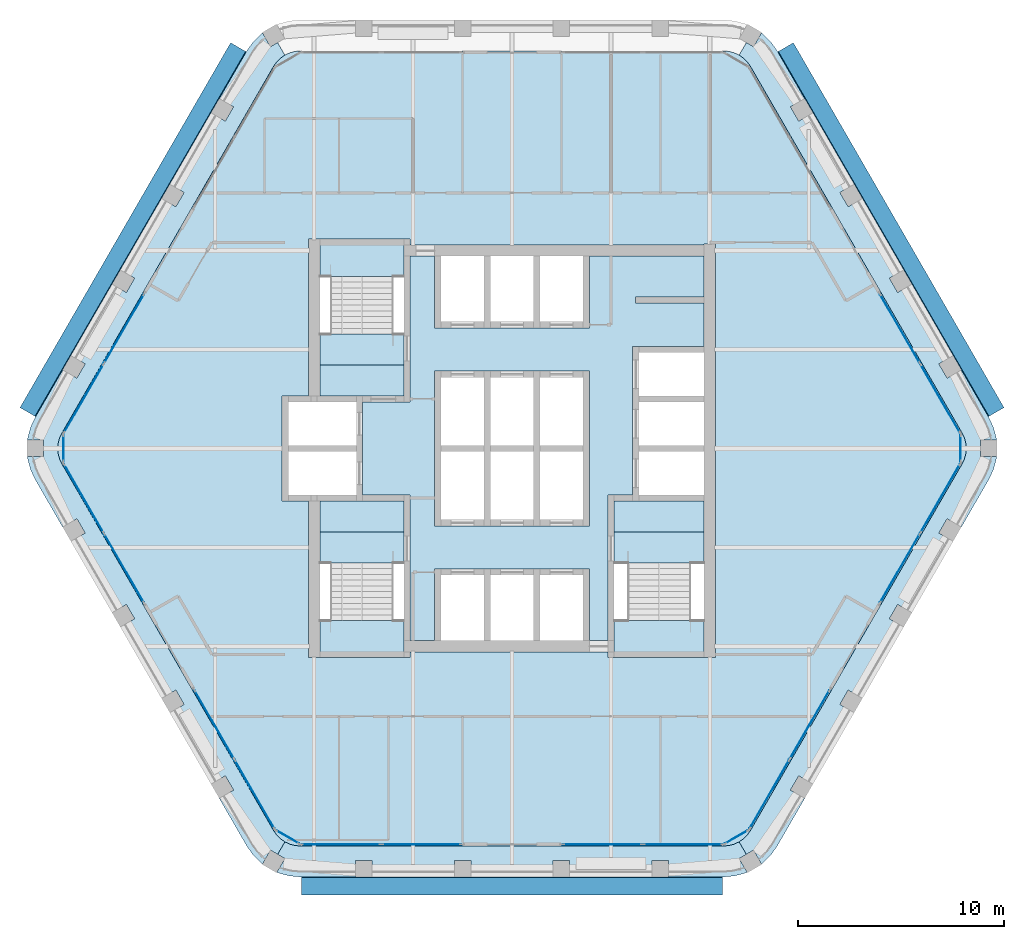
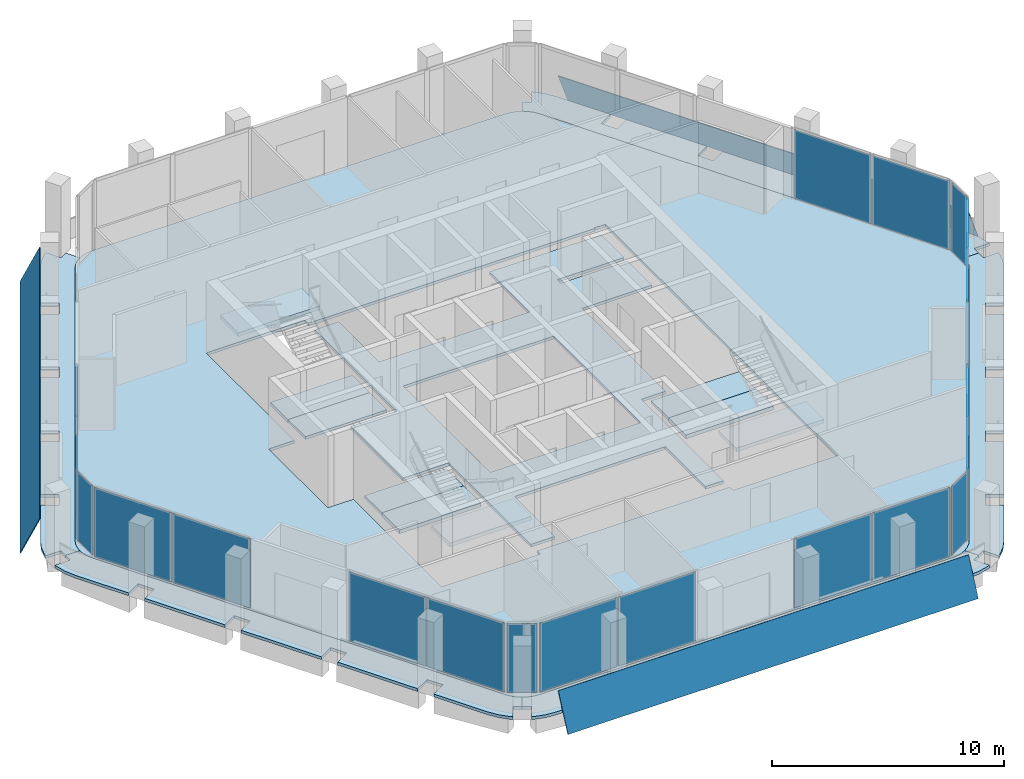
# One storey, part 6 of 13: 23 plates, 16 slabs, 15 elements without a shape of their own.
"""IFC4 building model written with IfcOpenShell, lengths in metres."""

from ifc_helpers import new_model, si_unit, direction, frame, origin, origin_2d, place, context, subcontext, project, spatial, polyline, rectangle, outline, extrude, material, layer, layer_set, type_object, element, aggregate, save


model = new_model("IFC4")

# Units and contexts
model_context = context("Model", 3, precision=1e-05, world=origin(), true_north=direction((0.0, 1.0)))
body_context = subcontext(model_context, "Body", "Model", "MODEL_VIEW")
ifc_project = project(units=[si_unit("LENGTHUNIT", "METRE"), si_unit("AREAUNIT", "SQUARE_METRE"), si_unit("VOLUMEUNIT", "CUBIC_METRE"), si_unit("PLANEANGLEUNIT", "RADIAN"), si_unit("MASSUNIT", "GRAM", prefix="KILO")], contexts=[model_context])

# Site, building, storey
site_placement = place(None, origin())
site = spatial("IfcSite", under=ifc_project, at=site_placement, CompositionType="ELEMENT")
building_placement = place(site_placement, origin())
building = spatial("IfcBuilding", under=site, at=building_placement, Name="Kolab Exchange Tower", CompositionType="ELEMENT")
storey_placement = place(building_placement, frame((0.0, 0.0, 226.699951171875)))
storey = spatial("IfcBuildingStorey", under=building, at=storey_placement, Name="L49", CompositionType="ELEMENT", Elevation=226.699951171875)

# Slabs
ifc_material_1 = material(Name="Concrete C35/45", Category="concrete")
ifc_layer_1 = layer(ifc_material_1, 0.14990234375)
ifc_layer_set_1 = layer_set([ifc_layer_1], Name="Concrete C35/45")
slab_type_1 = type_object("IfcSlabType", Name="FLOOR SLAB 150", PredefinedType="FLOOR", material=ifc_layer_set_1)
slab_1_placement = place(storey_placement, frame((0.0, 0.0, -0.14990234375)))
element("IfcSlab", 1, at=slab_1_placement, inside=storey, type_object=slab_type_1, Name="slab/L49/floor/0", PredefinedType="FLOOR", context=body_context, shape_type="SweptSolid", body=[
    extrude(outline(polyline([(11.56689453125, -18.53466796875), (21.8349609375, -0.75), (21.945556640625, -0.512939453125), (22.01318359375, -0.260498046875), (22.035888671875, 0.0), (22.01318359375, 0.260498046875), (21.945556640625, 0.512939453125), (21.8349609375, 0.75), (11.56689453125, 18.53466796875), (11.4169921875, 18.748779296875), (11.232177734375, 18.93359375), (11.01806640625, 19.083740234375), (10.781005859375, 19.194091796875), (10.5283203125, 19.26171875), (10.26806640625, 19.28466796875), (-10.26806640625, 19.28466796875), (-10.5283203125, 19.26171875), (-10.781005859375, 19.194091796875), (-11.01806640625, 19.083740234375), (-11.232177734375, 18.93359375), (-11.4169921875, 18.748779296875), (-11.56689453125, 18.53466796875), (-21.8349609375, 0.75), (-21.945556640625, 0.512939453125), (-22.01318359375, 0.260498046875), (-22.035888671875, 0.0), (-22.01318359375, -0.260498046875), (-21.945556640625, -0.512939453125), (-21.8349609375, -0.75), (-11.56689453125, -18.53466796875), (-11.4169921875, -18.748779296875), (-11.232177734375, -18.93359375), (-11.01806640625, -19.083740234375), (-10.781005859375, -19.194091796875), (-10.5283203125, -19.26171875), (-10.26806640625, -19.28466796875), (10.26806640625, -19.28466796875), (10.5283203125, -19.26171875), (10.781005859375, -19.194091796875), (11.01806640625, -19.083740234375), (11.232177734375, -18.93359375), (11.4169921875, -18.748779296875), (11.56689453125, -18.53466796875)]), holes=[polyline([(-9.324951171875, -10.14990234375), (-9.875, -10.14990234375), (-9.875, -2.550048828125), (-10.85009765625, -2.550048828125), (-11.14990234375, -2.550048828125), (-11.14990234375, 2.550048828125), (-10.85009765625, 2.550048828125), (-9.875, 2.550048828125), (-9.875, 10.14990234375), (-9.324951171875, 10.14990234375), (-5.25, 10.14990234375), (-4.949951171875, 10.14990234375), (-4.949951171875, 9.875), (9.324951171875, 9.875), (9.324951171875, 9.925048828125), (9.875, 9.925048828125), (9.875, -10.14990234375), (9.324951171875, -10.14990234375), (4.949951171875, -10.14990234375), (4.64990234375, -10.14990234375), (4.64990234375, -9.875), (-4.949951171875, -9.875), (-4.949951171875, -10.14990234375), (-5.25, -10.14990234375), (-9.324951171875, -10.14990234375)])]), origin(), (0.0, 0.0, 1.0), 0.14990234375),
])
slab_2_placement = place(storey_placement, frame((0.0, 0.0, -0.14990234375)))
element("IfcSlab", 2, at=slab_2_placement, inside=storey, type_object=slab_type_1, Name="slab/L49/floor/1", PredefinedType="FLOOR", context=body_context, shape_type="SweptSolid", body=[
    extrude(outline(polyline([(-4.949951171875, 9.324951171875), (-4.949951171875, 2.25), (-5.25, 2.25), (-7.25, 2.25), (-7.25, -2.25), (-5.25, -2.25), (-4.949951171875, -2.25), (-4.949951171875, -9.324951171875), (-3.75, -9.324951171875), (-3.75, -5.85009765625), (-3.449951171875, -5.85009765625), (-1.35009765625, -5.85009765625), (-1.050048828125, -5.85009765625), (1.050048828125, -5.85009765625), (1.35009765625, -5.85009765625), (3.449951171875, -5.85009765625), (3.75, -5.85009765625), (3.75, -9.324951171875), (4.64990234375, -9.324951171875), (4.64990234375, -2.25), (4.949951171875, -2.25), (5.85009765625, -2.25), (5.85009765625, 4.949951171875), (6.14990234375, 4.949951171875), (9.324951171875, 4.949951171875), (9.324951171875, 7.050048828125), (6.0, 7.050048828125), (6.0, 7.35009765625), (9.324951171875, 7.35009765625), (9.324951171875, 9.324951171875), (3.75, 9.324951171875), (3.75, 5.85009765625), (3.449951171875, 5.85009765625), (1.35009765625, 5.85009765625), (1.050048828125, 5.85009765625), (-1.050048828125, 5.85009765625), (-1.35009765625, 5.85009765625), (-3.449951171875, 5.85009765625), (-3.75, 5.85009765625), (-3.75, 9.324951171875), (-4.949951171875, 9.324951171875)]), holes=[polyline([(-3.449951171875, -3.75), (-3.75, -3.75), (-3.75, 3.75), (-3.449951171875, 3.75), (-1.35009765625, 3.75), (-1.050048828125, 3.75), (1.050048828125, 3.75), (1.35009765625, 3.75), (3.449951171875, 3.75), (3.75, 3.75), (3.75, -3.75), (3.449951171875, -3.75), (1.35009765625, -3.75), (1.050048828125, -3.75), (-1.050048828125, -3.75), (-1.35009765625, -3.75), (-3.449951171875, -3.75)])]), origin(), (0.0, 0.0, 1.0), 0.14990234375),
])
slab_3_placement = place(storey_placement, frame((0.0, 0.0, -0.14990234375)))
element("IfcSlab", 3, at=slab_3_placement, inside=storey, type_object=slab_type_1, Name="slab/L49/floor/2", PredefinedType="FLOOR", context=body_context, shape_type="SweptSolid", body=[
    extrude(outline(polyline([(4.949951171875, -2.550048828125), (4.949951171875, -4.050048828125), (9.324951171875, -4.050048828125), (9.324951171875, -2.550048828125), (6.14990234375, -2.550048828125), (5.85009765625, -2.550048828125), (4.949951171875, -2.550048828125)])), origin(), (0.0, 0.0, 1.0), 0.14990234375),
])
slab_4_placement = place(storey_placement, frame((0.0, 0.0, -0.14990234375)))
element("IfcSlab", 4, at=slab_4_placement, inside=storey, type_object=slab_type_1, Name="slab/L49/floor/3", PredefinedType="FLOOR", context=body_context, shape_type="SweptSolid", body=[
    extrude(outline(polyline([(-7.550048828125, -2.550048828125), (-9.324951171875, -2.550048828125), (-9.324951171875, -4.050048828125), (-5.25, -4.050048828125), (-5.25, -2.550048828125), (-7.25, -2.550048828125), (-7.550048828125, -2.550048828125)])), origin(), (0.0, 0.0, 1.0), 0.14990234375),
])
slab_5_placement = place(storey_placement, frame((0.0, 0.0, -0.14990234375)))
element("IfcSlab", 5, at=slab_5_placement, inside=storey, type_object=slab_type_1, Name="slab/L49/floor/4", PredefinedType="FLOOR", context=body_context, shape_type="SweptSolid", body=[
    extrude(outline(polyline([(-9.324951171875, 4.050048828125), (-9.324951171875, 2.550048828125), (-7.550048828125, 2.550048828125), (-7.25, 2.550048828125), (-5.25, 2.550048828125), (-5.25, 4.050048828125), (-9.324951171875, 4.050048828125)])), origin(), (0.0, 0.0, 1.0), 0.14990234375),
])
ifc_layer_2 = layer(ifc_material_1, 0.14990234375)
ifc_layer_set_2 = layer_set([ifc_layer_2], Name="Concrete C35/45")
slab_type_2 = type_object("IfcSlabType", Name="LOGGIA SLAB 150", PredefinedType="FLOOR", material=ifc_layer_set_2)
slab_6_placement = place(storey_placement, frame((0.0, 0.0, -0.14990234375)))
element("IfcSlab", 6, at=slab_6_placement, inside=storey, type_object=slab_type_2, Name="slab/L49/loggia/1-0", PredefinedType="FLOOR", context=body_context, shape_type="SweptSolid", body=[
    extrude(outline(polyline([(22.035888671875, 0.0), (22.73583984375, 0.0), (22.73583984375, 0.39990234375), (23.5009765625, 0.39990234375), (23.490234375, 0.52099609375), (23.35498046875, 1.026123046875), (23.134033203125, 1.5), (21.800048828125, 3.810546875), (21.107177734375, 3.410400390625), (20.707275390625, 4.103271484375), (21.39990234375, 4.50341796875), (19.39990234375, 7.967529296875), (18.707275390625, 7.5673828125), (18.30712890625, 8.26025390625), (19.0, 8.66015625), (17.0, 12.124267578125), (16.30712890625, 11.724365234375), (15.9072265625, 12.417236328125), (16.60009765625, 12.817138671875), (14.60009765625, 16.28125), (13.9072265625, 15.88134765625), (13.507080078125, 16.57421875), (14.199951171875, 16.97412109375), (12.865966796875, 19.28466796875), (12.566162109375, 19.712890625), (12.1962890625, 20.082763671875), (12.096923828125, 20.15234375), (11.71435546875, 19.48974609375), (11.367919921875, 19.68994140625), (11.01806640625, 19.083740234375), (11.232177734375, 18.93359375), (11.4169921875, 18.748779296875), (11.56689453125, 18.53466796875), (21.8349609375, 0.75), (21.945556640625, 0.512939453125), (22.01318359375, 0.260498046875), (22.035888671875, 0.0)])), origin(), (0.0, 0.0, 1.0), 0.14990234375),
])
slab_7_placement = place(storey_placement, frame((0.0, 0.0, -0.14990234375)))
element("IfcSlab", 7, at=slab_7_placement, inside=storey, type_object=slab_type_2, Name="slab/L49/loggia/2-0", PredefinedType="FLOOR", context=body_context, shape_type="SweptSolid", body=[
    extrude(outline(polyline([(12.865966796875, -19.28466796875), (14.199951171875, -16.97412109375), (13.507080078125, -16.57421875), (13.9072265625, -15.88134765625), (14.60009765625, -16.28125), (16.60009765625, -12.817138671875), (15.9072265625, -12.417236328125), (16.30712890625, -11.724365234375), (17.0, -12.124267578125), (19.0, -8.66015625), (18.30712890625, -8.26025390625), (18.707275390625, -7.5673828125), (19.39990234375, -7.967529296875), (21.39990234375, -4.50341796875), (20.707275390625, -4.103271484375), (21.107177734375, -3.410400390625), (21.800048828125, -3.810546875), (23.134033203125, -1.5), (23.35498046875, -1.026123046875), (23.490234375, -0.52099609375), (23.5009765625, -0.39990234375), (22.73583984375, -0.39990234375), (22.73583984375, 0.0), (22.035888671875, 0.0), (22.01318359375, -0.260498046875), (21.945556640625, -0.512939453125), (21.8349609375, -0.75), (11.56689453125, -18.53466796875), (11.4169921875, -18.748779296875), (11.232177734375, -18.93359375), (11.01806640625, -19.083740234375), (11.367919921875, -19.68994140625), (11.71435546875, -19.48974609375), (12.096923828125, -20.15234375), (12.1962890625, -20.082763671875), (12.566162109375, -19.712890625), (12.865966796875, -19.28466796875)])), origin(), (0.0, 0.0, 1.0), 0.14990234375),
])
slab_8_placement = place(storey_placement, frame((0.0, 0.0, -0.14990234375)))
element("IfcSlab", 8, at=slab_8_placement, inside=storey, type_object=slab_type_2, Name="slab/L49/loggia/3-0", PredefinedType="FLOOR", context=body_context, shape_type="SweptSolid", body=[
    extrude(outline(polyline([(-11.01806640625, -19.083740234375), (-11.367919921875, -19.68994140625), (-11.021484375, -19.889892578125), (-11.404052734375, -20.552490234375), (-11.2939453125, -20.603759765625), (-10.788818359375, -20.739013671875), (-10.26806640625, -20.78466796875), (-7.60009765625, -20.78466796875), (-7.60009765625, -19.984619140625), (-6.800048828125, -19.984619140625), (-6.800048828125, -20.78466796875), (-2.800048828125, -20.78466796875), (-2.800048828125, -19.984619140625), (-2.0, -19.984619140625), (-2.0, -20.78466796875), (2.0, -20.78466796875), (2.0, -19.984619140625), (2.800048828125, -19.984619140625), (2.800048828125, -20.78466796875), (6.800048828125, -20.78466796875), (6.800048828125, -19.984619140625), (7.60009765625, -19.984619140625), (7.60009765625, -20.78466796875), (10.26806640625, -20.78466796875), (10.788818359375, -20.739013671875), (11.2939453125, -20.603759765625), (11.404052734375, -20.552490234375), (11.021484375, -19.889892578125), (11.367919921875, -19.68994140625), (11.01806640625, -19.083740234375), (10.781005859375, -19.194091796875), (10.5283203125, -19.26171875), (10.26806640625, -19.28466796875), (-10.26806640625, -19.28466796875), (-10.5283203125, -19.26171875), (-10.781005859375, -19.194091796875), (-11.01806640625, -19.083740234375)])), origin(), (0.0, 0.0, 1.0), 0.14990234375),
])
slab_9_placement = place(storey_placement, frame((0.0, 0.0, -0.14990234375)))
element("IfcSlab", 9, at=slab_9_placement, inside=storey, type_object=slab_type_2, Name="slab/L49/loggia/4-0", PredefinedType="FLOOR", context=body_context, shape_type="SweptSolid", body=[
    extrude(outline(polyline([(-22.035888671875, 0.0), (-22.73583984375, 0.0), (-22.73583984375, -0.39990234375), (-23.5009765625, -0.39990234375), (-23.490234375, -0.52099609375), (-23.35498046875, -1.026123046875), (-23.134033203125, -1.5), (-21.800048828125, -3.810546875), (-21.107177734375, -3.410400390625), (-20.707275390625, -4.103271484375), (-21.39990234375, -4.50341796875), (-19.39990234375, -7.967529296875), (-18.707275390625, -7.5673828125), (-18.30712890625, -8.26025390625), (-19.0, -8.66015625), (-17.0, -12.124267578125), (-16.30712890625, -11.724365234375), (-15.9072265625, -12.417236328125), (-16.60009765625, -12.817138671875), (-14.60009765625, -16.28125), (-13.9072265625, -15.88134765625), (-13.507080078125, -16.57421875), (-14.199951171875, -16.97412109375), (-12.865966796875, -19.28466796875), (-12.566162109375, -19.712890625), (-12.1962890625, -20.082763671875), (-12.096923828125, -20.15234375), (-11.71435546875, -19.48974609375), (-11.367919921875, -19.68994140625), (-11.01806640625, -19.083740234375), (-11.232177734375, -18.93359375), (-11.4169921875, -18.748779296875), (-11.56689453125, -18.53466796875), (-21.8349609375, -0.75), (-21.945556640625, -0.512939453125), (-22.01318359375, -0.260498046875), (-22.035888671875, 0.0)])), origin(), (0.0, 0.0, 1.0), 0.14990234375),
])
slab_10_placement = place(storey_placement, frame((0.0, 0.0, -0.14990234375)))
element("IfcSlab", 10, at=slab_10_placement, inside=storey, type_object=slab_type_2, Name="slab/L49/loggia/5-0", PredefinedType="FLOOR", context=body_context, shape_type="SweptSolid", body=[
    extrude(outline(polyline([(-11.01806640625, 19.083740234375), (-11.367919921875, 19.68994140625), (-11.71435546875, 19.48974609375), (-12.096923828125, 20.15234375), (-12.1962890625, 20.082763671875), (-12.566162109375, 19.712890625), (-12.865966796875, 19.28466796875), (-14.199951171875, 16.97412109375), (-13.507080078125, 16.57421875), (-13.9072265625, 15.88134765625), (-14.60009765625, 16.28125), (-16.60009765625, 12.817138671875), (-15.9072265625, 12.417236328125), (-16.30712890625, 11.724365234375), (-17.0, 12.124267578125), (-19.0, 8.66015625), (-18.30712890625, 8.26025390625), (-18.707275390625, 7.5673828125), (-19.39990234375, 7.967529296875), (-21.39990234375, 4.50341796875), (-20.707275390625, 4.103271484375), (-21.107177734375, 3.410400390625), (-21.800048828125, 3.810546875), (-23.134033203125, 1.5), (-23.35498046875, 1.026123046875), (-23.490234375, 0.52099609375), (-23.5009765625, 0.39990234375), (-22.73583984375, 0.39990234375), (-22.73583984375, 0.0), (-22.035888671875, 0.0), (-22.01318359375, 0.260498046875), (-21.945556640625, 0.512939453125), (-21.8349609375, 0.75), (-11.56689453125, 18.53466796875), (-11.4169921875, 18.748779296875), (-11.232177734375, 18.93359375), (-11.01806640625, 19.083740234375)])), origin(), (0.0, 0.0, 1.0), 0.14990234375),
])

# Plates
ifc_material_2 = material(Name="Laminated glass, clear", Category="glass")
ifc_layer_3 = layer(ifc_material_2, 0.0400390625)
ifc_layer_set_3 = layer_set([ifc_layer_3], Name="Laminated glass, clear")
plate_type_1 = type_object("IfcPlateType", Name="OUTER SKIN LAMINATED GLASS SHEET 40", PredefinedType="SHEET", material=ifc_layer_set_3)
plate_1_placement = place(storey_placement, frame((13.6494140625, 19.67919921875, -0.68310546875), z_axis=(0.784886322863, 0.453152182031, 0.422618693508), x_axis=(0.499997422494, -0.866026891901, 1.981408e-06)))
element("IfcPlate", 11, at=plate_1_placement, inside=storey, type_object=plate_type_1, Name="Outer skin", PredefinedType="SHEET", context=body_context, shape_type="SweptSolid", body=[
    extrude(outline(polyline([(0.0, 0.0), (20.435802623779963, 0.0), (20.435856947346753, -1.9860898935068516), (-6.774611643567295e-05, -1.9861792489881693), (0.0, 0.0)])), origin(), (0.0, 0.0, -1.0), 0.0400390625),
])
plate_2_placement = place(storey_placement, frame((10.218017578125, -21.66015625, -0.68310546875), z_axis=(0.0, -0.906311853188, 0.422609541742), x_axis=(-1.0, 0.0, 0.0)))
element("IfcPlate", 12, at=plate_2_placement, inside=storey, type_object=plate_type_1, Name="Outer skin", PredefinedType="SHEET", context=body_context, shape_type="SweptSolid", body=[
    extrude(outline(polyline([(0.0, 0.0), (20.43603515625, 0.0), (20.43603515625, -1.9861252192534886), (0.0, -1.9861252192534886), (0.0, 0.0)])), origin(), (0.0, 0.0, -1.0), 0.0400390625),
])
plate_3_placement = place(storey_placement, frame((-23.8671875, 1.981201171875, -0.68310546875), z_axis=(-0.784886322863, 0.453152182031, 0.422618693508), x_axis=(0.499997422494, 0.866026891901, -1.981408e-06)))
element("IfcPlate", 13, at=plate_3_placement, inside=storey, type_object=plate_type_1, Name="Outer skin", PredefinedType="SHEET", context=body_context, shape_type="SweptSolid", body=[
    extrude(outline(polyline([(0.0, 0.0), (20.435802623779963, 0.0), (20.435870369896403, -1.9861792489881698), (-5.4323566790471804e-05, -1.9860898935068518), (0.0, 0.0)])), origin(), (0.0, 0.0, -1.0), 0.0400390625),
])

# Stair, slabs
ifc_material_3 = material(Name="Concrete C50/60", Category="concrete")
stair_type_1 = type_object("IfcStairType", Name="STAIR ST1 RISER 177.3", PredefinedType="HALF_TURN_STAIR", material=ifc_material_3)
stair_1_placement = place(storey_placement, origin())
stair_1 = element("IfcStair", 14, at=stair_1_placement, inside=storey, type_object=stair_type_1, Name="Stair 1", PredefinedType="HALF_TURN_STAIR")
ifc_layer_4 = layer(ifc_material_3, 0.199951171875)
ifc_layer_set_4 = layer_set([ifc_layer_4], Name="Concrete C50/60")
slab_type_3 = type_object("IfcSlabType", Name="STAIR LANDING 200", PredefinedType="LANDING", material=ifc_layer_set_4)
slab_11_placement = place(storey_placement, frame((0.0, 0.0, -0.199951171875)))
slab_11 = element("IfcSlab", 15, at=slab_11_placement, type_object=slab_type_3, Name="ST1 landing 1", PredefinedType="LANDING", context=body_context, shape_type="SweptSolid", body=[
    extrude(outline(polyline([(-9.324951171875, 4.050048828125), (-5.25, 4.050048828125), (-5.25, 5.550048828125), (-9.324951171875, 5.550048828125), (-9.324951171875, 4.050048828125)])), origin(), (0.0, 0.0, 1.0), 0.199951171875),
])
slab_12_placement = place(storey_placement, frame((0.0, 0.0, 1.75)))
slab_12 = element("IfcSlab", 16, at=slab_12_placement, type_object=slab_type_3, Name="ST1 landing 2", PredefinedType="LANDING", context=body_context, shape_type="SweptSolid", body=[
    extrude(outline(polyline([(-9.324951171875, 8.35009765625), (-5.25, 8.35009765625), (-5.25, 9.909912109375), (-9.324951171875, 9.909912109375), (-9.324951171875, 8.35009765625)])), origin(), (0.0, 0.0, 1.0), 0.199951171875),
])
aggregate(stair_1, [slab_11, slab_12])

stair_type_2 = type_object("IfcStairType", Name="STAIR ST3 RISER 177.3", PredefinedType="HALF_TURN_STAIR", material=ifc_material_3)
stair_2_placement = place(storey_placement, origin())
stair_2 = element("IfcStair", 17, at=stair_2_placement, inside=storey, type_object=stair_type_2, Name="Stair 3", PredefinedType="HALF_TURN_STAIR")
slab_13_placement = place(storey_placement, frame((0.0, 0.0, -0.199951171875)))
slab_13 = element("IfcSlab", 18, at=slab_13_placement, type_object=slab_type_3, Name="ST3 landing 1", PredefinedType="LANDING", context=body_context, shape_type="SweptSolid", body=[
    extrude(outline(polyline([(-9.324951171875, -5.550048828125), (-5.25, -5.550048828125), (-5.25, -4.050048828125), (-9.324951171875, -4.050048828125), (-9.324951171875, -5.550048828125)])), origin(), (0.0, 0.0, 1.0), 0.199951171875),
])
slab_14_placement = place(storey_placement, frame((0.0, 0.0, 1.75)))
slab_14 = element("IfcSlab", 19, at=slab_14_placement, type_object=slab_type_3, Name="ST3 landing 2", PredefinedType="LANDING", context=body_context, shape_type="SweptSolid", body=[
    extrude(outline(polyline([(-9.324951171875, -9.909912109375), (-5.25, -9.909912109375), (-5.25, -8.35009765625), (-9.324951171875, -8.35009765625), (-9.324951171875, -9.909912109375)])), origin(), (0.0, 0.0, 1.0), 0.199951171875),
])
aggregate(stair_2, [slab_13, slab_14])

stair_type_3 = type_object("IfcStairType", Name="STAIR ST2 RISER 177.3", PredefinedType="HALF_TURN_STAIR", material=ifc_material_3)
stair_3_placement = place(storey_placement, origin())
stair_3 = element("IfcStair", 20, at=stair_3_placement, inside=storey, type_object=stair_type_3, Name="Stair 2", PredefinedType="HALF_TURN_STAIR")
slab_15_placement = place(storey_placement, frame((0.0, 0.0, -0.199951171875)))
slab_15 = element("IfcSlab", 21, at=slab_15_placement, type_object=slab_type_3, Name="ST2 landing 1", PredefinedType="LANDING", context=body_context, shape_type="SweptSolid", body=[
    extrude(outline(polyline([(4.949951171875, -5.550048828125), (9.324951171875, -5.550048828125), (9.324951171875, -4.050048828125), (4.949951171875, -4.050048828125), (4.949951171875, -5.550048828125)])), origin(), (0.0, 0.0, 1.0), 0.199951171875),
])
slab_16_placement = place(storey_placement, frame((0.0, 0.0, 1.75)))
slab_16 = element("IfcSlab", 22, at=slab_16_placement, type_object=slab_type_3, Name="ST2 landing 2", PredefinedType="LANDING", context=body_context, shape_type="SweptSolid", body=[
    extrude(outline(polyline([(4.949951171875, -9.909912109375), (9.324951171875, -9.909912109375), (9.324951171875, -8.35009765625), (4.949951171875, -8.35009765625), (4.949951171875, -9.909912109375)])), origin(), (0.0, 0.0, 1.0), 0.199951171875),
])
aggregate(stair_3, [slab_15, slab_16])

# Curtain wall, plates
ifc_material_4 = material(Name="Aluminium EN AW-6063 T6", Category="aluminium")
curtain_wall_type = type_object("IfcCurtainWallType", Name="UNITISED HIGH ZONE CURTAIN WALL", PredefinedType="NOTDEFINED", material=ifc_material_4)
curtain_wall_1_placement = place(storey_placement, origin())
curtain_wall_1 = element("IfcCurtainWall", 23, at=curtain_wall_1_placement, inside=storey, type_object=curtain_wall_type, Name="cw/L49/F2-2", PredefinedType="NOTDEFINED")
ifc_material_5 = material(Name="Clear insulated glazing unit", Category="glass")
ifc_layer_5 = layer(ifc_material_5, 0.030029296875)
ifc_layer_set_5 = layer_set([ifc_layer_5], Name="Clear insulated glazing unit")
plate_type_2 = type_object("IfcPlateType", Name="UNITISED HIGH ZONE GLASS PANEL 30", PredefinedType="CURTAIN_PANEL", material=ifc_layer_set_5)
plate_4_placement = place(storey_placement, frame((18.82275390625, 5.807373046875, 0.06005859375), z_axis=(0.0, 0.0, 1.0), x_axis=(0.499999936366, -0.866025440524, 0.0)))
plate_4 = element("IfcPlate", 24, at=plate_4_placement, type_object=plate_type_2, Name="CW4 panel 1.1", PredefinedType="CURTAIN_PANEL", context=body_context, shape_type="SweptSolid", body=[
    extrude(rectangle(XDim=3.843994140625, YDim=0.030029296875, at=origin_2d()), origin(), (0.0, 0.0, 1.0), 3.6298828125),
])
plate_5_placement = place(storey_placement, frame((20.774658203125, 2.426513671875, 0.06005859375), z_axis=(0.0, 0.0, 1.0), x_axis=(0.499999936366, -0.866025440524, 0.0)))
plate_5 = element("IfcPlate", 25, at=plate_5_placement, type_object=plate_type_2, Name="CW4 panel 2.1", PredefinedType="CURTAIN_PANEL", context=body_context, shape_type="SweptSolid", body=[
    extrude(rectangle(XDim=3.843994140625, YDim=0.030029296875, at=origin_2d()), origin(), (0.0, 0.0, 1.0), 3.6298828125),
])
aggregate(curtain_wall_1, [plate_4, plate_5])

curtain_wall_2_placement = place(storey_placement, origin())
curtain_wall_2 = element("IfcCurtainWall", 26, at=curtain_wall_2_placement, inside=storey, type_object=curtain_wall_type, Name="cw/L49/F3-1", PredefinedType="NOTDEFINED")
plate_6_placement = place(storey_placement, frame((20.774658203125, -2.426513671875, 0.06005859375), z_axis=(0.0, 0.0, 1.0), x_axis=(-0.499999936366, -0.866025440524, 0.0)))
plate_6 = element("IfcPlate", 27, at=plate_6_placement, type_object=plate_type_2, Name="CW4 panel 1.1", PredefinedType="CURTAIN_PANEL", context=body_context, shape_type="SweptSolid", body=[
    extrude(rectangle(XDim=3.843994140625, YDim=0.030029296875, at=origin_2d()), origin(), (0.0, 0.0, 1.0), 3.6298828125),
])
plate_7_placement = place(storey_placement, frame((18.82275390625, -5.807373046875, 0.06005859375), z_axis=(0.0, 0.0, 1.0), x_axis=(-0.499999936366, -0.866025440524, 0.0)))
plate_7 = element("IfcPlate", 28, at=plate_7_placement, type_object=plate_type_2, Name="CW4 panel 2.1", PredefinedType="CURTAIN_PANEL", context=body_context, shape_type="SweptSolid", body=[
    extrude(rectangle(XDim=3.843994140625, YDim=0.030029296875, at=origin_2d()), origin(), (0.0, 0.0, 1.0), 3.6298828125),
])
aggregate(curtain_wall_2, [plate_6, plate_7])

curtain_wall_3_placement = place(storey_placement, origin())
curtain_wall_3 = element("IfcCurtainWall", 29, at=curtain_wall_3_placement, inside=storey, type_object=curtain_wall_type, Name="cw/L49/F3-2", PredefinedType="NOTDEFINED")
plate_8_placement = place(storey_placement, frame((14.440673828125, -13.397216796875, 0.06005859375), z_axis=(0.0, 0.0, 1.0), x_axis=(-0.500000031681, -0.866025385493, 0.0)))
plate_8 = element("IfcPlate", 30, at=plate_8_placement, type_object=plate_type_2, Name="CW4 panel 1.1", PredefinedType="CURTAIN_PANEL", context=body_context, shape_type="SweptSolid", body=[
    extrude(rectangle(XDim=3.843994140625, YDim=0.030029296875, at=origin_2d()), origin(), (0.0, 0.0, 1.0), 3.6298828125),
])
plate_9_placement = place(storey_placement, frame((12.48876953125, -16.778076171875, 0.06005859375), z_axis=(0.0, 0.0, 1.0), x_axis=(-0.500000031681, -0.866025385493, 0.0)))
plate_9 = element("IfcPlate", 31, at=plate_9_placement, type_object=plate_type_2, Name="CW4 panel 2.1", PredefinedType="CURTAIN_PANEL", context=body_context, shape_type="SweptSolid", body=[
    extrude(rectangle(XDim=3.843994140625, YDim=0.030029296875, at=origin_2d()), origin(), (0.0, 0.0, 1.0), 3.6298828125),
])
aggregate(curtain_wall_3, [plate_8, plate_9])

curtain_wall_4_placement = place(storey_placement, origin())
curtain_wall_4 = element("IfcCurtainWall", 32, at=curtain_wall_4_placement, inside=storey, type_object=curtain_wall_type, Name="cw/L49/F4-1", PredefinedType="NOTDEFINED")
plate_10_placement = place(storey_placement, frame((8.285888671875, -19.20458984375, 0.06005859375), z_axis=(0.0, 0.0, 1.0), x_axis=(-1.0, 0.0, 0.0)))
plate_10 = element("IfcPlate", 33, at=plate_10_placement, type_object=plate_type_2, Name="CW4 panel 1.1", PredefinedType="CURTAIN_PANEL", context=body_context, shape_type="SweptSolid", body=[
    extrude(rectangle(XDim=3.843994140625, YDim=0.030029296875, at=origin_2d()), origin(), (0.0, 0.0, 1.0), 3.6298828125),
])
plate_11_placement = place(storey_placement, frame((4.382080078125, -19.20458984375, 0.06005859375), z_axis=(0.0, 0.0, 1.0), x_axis=(-1.0, 0.0, 0.0)))
plate_11 = element("IfcPlate", 34, at=plate_11_placement, type_object=plate_type_2, Name="CW4 panel 2.1", PredefinedType="CURTAIN_PANEL", context=body_context, shape_type="SweptSolid", body=[
    extrude(rectangle(XDim=3.843994140625, YDim=0.030029296875, at=origin_2d()), origin(), (0.0, 0.0, 1.0), 3.6298828125),
])
aggregate(curtain_wall_4, [plate_10, plate_11])

curtain_wall_5_placement = place(storey_placement, origin())
curtain_wall_5 = element("IfcCurtainWall", 35, at=curtain_wall_5_placement, inside=storey, type_object=curtain_wall_type, Name="cw/L49/F4-2", PredefinedType="NOTDEFINED")
plate_12_placement = place(storey_placement, frame((-4.382080078125, -19.20458984375, 0.06005859375), z_axis=(0.0, 0.0, 1.0), x_axis=(-1.0, 0.0, 0.0)))
plate_12 = element("IfcPlate", 36, at=plate_12_placement, type_object=plate_type_2, Name="CW4 panel 1.1", PredefinedType="CURTAIN_PANEL", context=body_context, shape_type="SweptSolid", body=[
    extrude(rectangle(XDim=3.843994140625, YDim=0.030029296875, at=origin_2d()), origin(), (0.0, 0.0, 1.0), 3.6298828125),
])
plate_13_placement = place(storey_placement, frame((-8.285888671875, -19.20458984375, 0.06005859375), z_axis=(0.0, 0.0, 1.0), x_axis=(-1.0, 0.0, 0.0)))
plate_13 = element("IfcPlate", 37, at=plate_13_placement, type_object=plate_type_2, Name="CW4 panel 2.1", PredefinedType="CURTAIN_PANEL", context=body_context, shape_type="SweptSolid", body=[
    extrude(rectangle(XDim=3.843994140625, YDim=0.030029296875, at=origin_2d()), origin(), (0.0, 0.0, 1.0), 3.6298828125),
])
aggregate(curtain_wall_5, [plate_12, plate_13])

curtain_wall_6_placement = place(storey_placement, origin())
curtain_wall_6 = element("IfcCurtainWall", 38, at=curtain_wall_6_placement, inside=storey, type_object=curtain_wall_type, Name="cw/L49/F5-1", PredefinedType="NOTDEFINED")
plate_14_placement = place(storey_placement, frame((-12.48876953125, -16.778076171875, 0.06005859375), z_axis=(0.0, 0.0, 1.0), x_axis=(-0.500000031681, 0.866025385493, 0.0)))
plate_14 = element("IfcPlate", 39, at=plate_14_placement, type_object=plate_type_2, Name="CW4 panel 1.1", PredefinedType="CURTAIN_PANEL", context=body_context, shape_type="SweptSolid", body=[
    extrude(rectangle(XDim=3.843994140625, YDim=0.030029296875, at=origin_2d()), origin(), (0.0, 0.0, 1.0), 3.6298828125),
])
plate_15_placement = place(storey_placement, frame((-14.440673828125, -13.397216796875, 0.06005859375), z_axis=(0.0, 0.0, 1.0), x_axis=(-0.500000031681, 0.866025385493, 0.0)))
plate_15 = element("IfcPlate", 40, at=plate_15_placement, type_object=plate_type_2, Name="CW4 panel 2.1", PredefinedType="CURTAIN_PANEL", context=body_context, shape_type="SweptSolid", body=[
    extrude(rectangle(XDim=3.843994140625, YDim=0.030029296875, at=origin_2d()), origin(), (0.0, 0.0, 1.0), 3.6298828125),
])
aggregate(curtain_wall_6, [plate_14, plate_15])

curtain_wall_7_placement = place(storey_placement, origin())
curtain_wall_7 = element("IfcCurtainWall", 41, at=curtain_wall_7_placement, inside=storey, type_object=curtain_wall_type, Name="cw/L49/F5-2", PredefinedType="NOTDEFINED")
plate_16_placement = place(storey_placement, frame((-18.82275390625, -5.807373046875, 0.06005859375), z_axis=(0.0, 0.0, 1.0), x_axis=(-0.499999936366, 0.866025440524, 0.0)))
plate_16 = element("IfcPlate", 42, at=plate_16_placement, type_object=plate_type_2, Name="CW4 panel 1.1", PredefinedType="CURTAIN_PANEL", context=body_context, shape_type="SweptSolid", body=[
    extrude(rectangle(XDim=3.843994140625, YDim=0.030029296875, at=origin_2d()), origin(), (0.0, 0.0, 1.0), 3.6298828125),
])
plate_17_placement = place(storey_placement, frame((-20.774658203125, -2.426513671875, 0.06005859375), z_axis=(0.0, 0.0, 1.0), x_axis=(-0.499999936366, 0.866025440524, 0.0)))
plate_17 = element("IfcPlate", 43, at=plate_17_placement, type_object=plate_type_2, Name="CW4 panel 2.1", PredefinedType="CURTAIN_PANEL", context=body_context, shape_type="SweptSolid", body=[
    extrude(rectangle(XDim=3.843994140625, YDim=0.030029296875, at=origin_2d()), origin(), (0.0, 0.0, 1.0), 3.6298828125),
])
aggregate(curtain_wall_7, [plate_16, plate_17])

curtain_wall_8_placement = place(storey_placement, origin())
curtain_wall_8 = element("IfcCurtainWall", 44, at=curtain_wall_8_placement, inside=storey, type_object=curtain_wall_type, Name="cw/L49/F6-1", PredefinedType="NOTDEFINED")
plate_18_placement = place(storey_placement, frame((-20.774658203125, 2.426513671875, 0.06005859375), z_axis=(0.0, 0.0, 1.0), x_axis=(0.499999936366, 0.866025440524, 0.0)))
plate_18 = element("IfcPlate", 45, at=plate_18_placement, type_object=plate_type_2, Name="CW4 panel 1.1", PredefinedType="CURTAIN_PANEL", context=body_context, shape_type="SweptSolid", body=[
    extrude(rectangle(XDim=3.843994140625, YDim=0.030029296875, at=origin_2d()), origin(), (0.0, 0.0, 1.0), 3.6298828125),
])
plate_19_placement = place(storey_placement, frame((-18.82275390625, 5.807373046875, 0.06005859375), z_axis=(0.0, 0.0, 1.0), x_axis=(0.499999936366, 0.866025440524, 0.0)))
plate_19 = element("IfcPlate", 46, at=plate_19_placement, type_object=plate_type_2, Name="CW4 panel 2.1", PredefinedType="CURTAIN_PANEL", context=body_context, shape_type="SweptSolid", body=[
    extrude(rectangle(XDim=3.843994140625, YDim=0.030029296875, at=origin_2d()), origin(), (0.0, 0.0, 1.0), 3.6298828125),
])
aggregate(curtain_wall_8, [plate_18, plate_19])

# Curtain wall, plate
curtain_wall_9_placement = place(storey_placement, origin())
curtain_wall_9 = element("IfcCurtainWall", 47, at=curtain_wall_9_placement, inside=storey, type_object=curtain_wall_type, Name="cw/L49/F2F3-corner", PredefinedType="NOTDEFINED")
plate_20_placement = place(storey_placement, frame((21.765625, 0.0, 0.06005859375), z_axis=(0.0, 0.0, 1.0), x_axis=(0.0, -1.0, 0.0)))
plate_20 = element("IfcPlate", 48, at=plate_20_placement, type_object=plate_type_2, Name="CW4 panel 1.1", PredefinedType="CURTAIN_PANEL", context=body_context, shape_type="SweptSolid", body=[
    extrude(rectangle(XDim=1.300048828125, YDim=0.030029296875, at=origin_2d()), origin(), (0.0, 0.0, 1.0), 3.6298828125),
])
aggregate(curtain_wall_9, [plate_20])

curtain_wall_10_placement = place(storey_placement, origin())
curtain_wall_10 = element("IfcCurtainWall", 49, at=curtain_wall_10_placement, inside=storey, type_object=curtain_wall_type, Name="cw/L49/F3F4-corner", PredefinedType="NOTDEFINED")
plate_21_placement = place(storey_placement, frame((10.8828125, -18.849609375, 0.06005859375), z_axis=(0.0, 0.0, 1.0), x_axis=(-0.866025390869, -0.50000002237, 0.0)))
plate_21 = element("IfcPlate", 50, at=plate_21_placement, type_object=plate_type_2, Name="CW4 panel 1.1", PredefinedType="CURTAIN_PANEL", context=body_context, shape_type="SweptSolid", body=[
    extrude(rectangle(XDim=1.300048828125, YDim=0.030029296875, at=origin_2d()), origin(), (0.0, 0.0, 1.0), 3.6298828125),
])
aggregate(curtain_wall_10, [plate_21])

curtain_wall_11_placement = place(storey_placement, origin())
curtain_wall_11 = element("IfcCurtainWall", 51, at=curtain_wall_11_placement, inside=storey, type_object=curtain_wall_type, Name="cw/L49/F4F5-corner", PredefinedType="NOTDEFINED")
plate_22_placement = place(storey_placement, frame((-10.8828125, -18.849609375, 0.06005859375), z_axis=(0.0, 0.0, 1.0), x_axis=(-0.866025390869, 0.50000002237, 0.0)))
plate_22 = element("IfcPlate", 52, at=plate_22_placement, type_object=plate_type_2, Name="CW4 panel 1.1", PredefinedType="CURTAIN_PANEL", context=body_context, shape_type="SweptSolid", body=[
    extrude(rectangle(XDim=1.300048828125, YDim=0.030029296875, at=origin_2d()), origin(), (0.0, 0.0, 1.0), 3.6298828125),
])
aggregate(curtain_wall_11, [plate_22])

curtain_wall_12_placement = place(storey_placement, origin())
curtain_wall_12 = element("IfcCurtainWall", 53, at=curtain_wall_12_placement, inside=storey, type_object=curtain_wall_type, Name="cw/L49/F5F6-corner", PredefinedType="NOTDEFINED")
plate_23_placement = place(storey_placement, frame((-21.765625, 0.0, 0.06005859375), z_axis=(0.0, 0.0, 1.0), x_axis=(0.0, 1.0, 0.0)))
plate_23 = element("IfcPlate", 54, at=plate_23_placement, type_object=plate_type_2, Name="CW4 panel 1.1", PredefinedType="CURTAIN_PANEL", context=body_context, shape_type="SweptSolid", body=[
    extrude(rectangle(XDim=1.300048828125, YDim=0.030029296875, at=origin_2d()), origin(), (0.0, 0.0, 1.0), 3.6298828125),
])
aggregate(curtain_wall_12, [plate_23])

save(model, "model.ifc")
